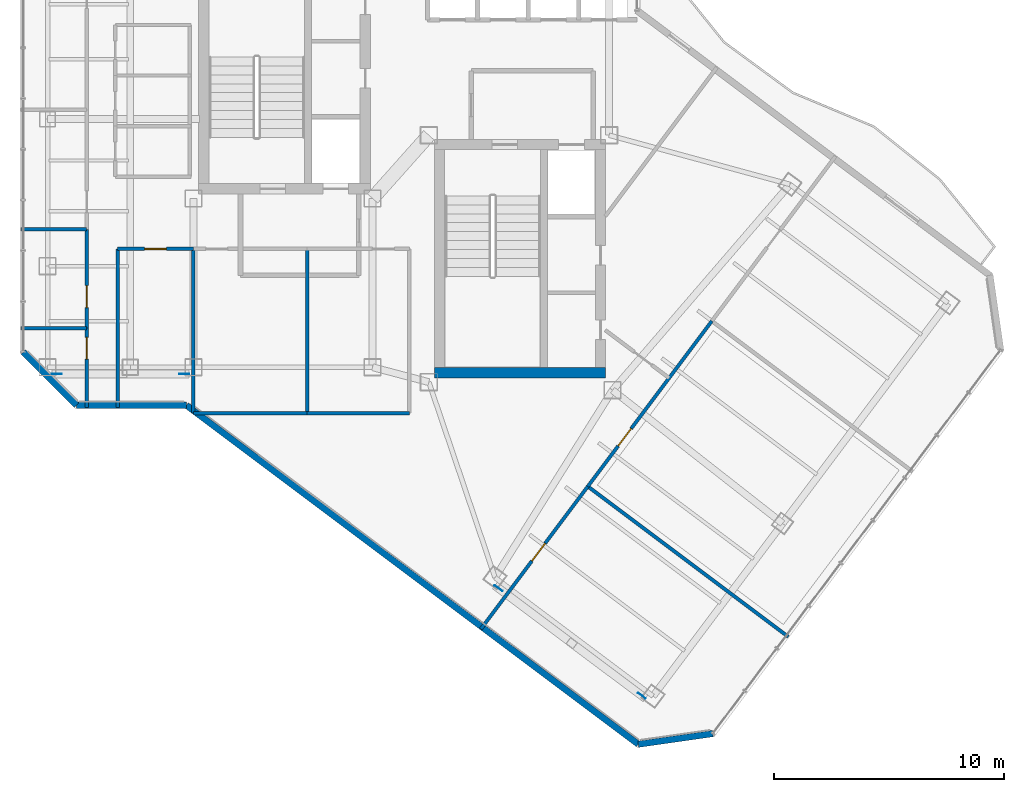
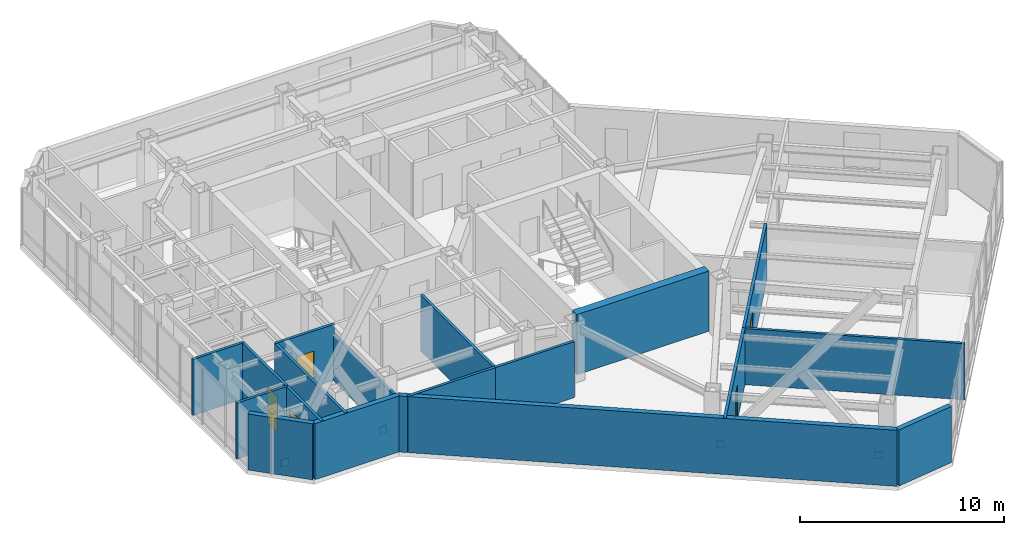
# One storey, part 19 of 24: 18 walls, 5 doors, 4 plates, 5 openings.
"""IFC4 building model written with IfcOpenShell, lengths in metres."""

from ifc_helpers import new_model, si_unit, direction, frame, frame_2d, origin, origin_2d, place, context, subcontext, project, spatial, rectangle, extrude, material, layer, layer_set, type_object, element, fill, save


model = new_model("IFC4")

# Units and contexts
model_context = context("Model", 3, precision=1e-05, world=origin(), true_north=direction((0.0, 1.0)))
body_context = subcontext(model_context, "Body", "Model", "MODEL_VIEW")
ifc_project = project(units=[si_unit("LENGTHUNIT", "METRE"), si_unit("AREAUNIT", "SQUARE_METRE"), si_unit("VOLUMEUNIT", "CUBIC_METRE"), si_unit("PLANEANGLEUNIT", "RADIAN"), si_unit("MASSUNIT", "GRAM", prefix="KILO")], contexts=[model_context])

# Site, building, storey
site_placement = place(None, origin())
site = spatial("IfcSite", under=ifc_project, at=site_placement, CompositionType="ELEMENT")
building_placement = place(site_placement, origin())
building = spatial("IfcBuilding", under=site, at=building_placement, Name="Hatsunagi Terrace Concourse", CompositionType="ELEMENT")
storey_placement = place(building_placement, frame((0.0, 0.0, 213.14990234375)))
storey = spatial("IfcBuildingStorey", under=building, at=storey_placement, Name="L56", CompositionType="ELEMENT", Elevation=213.14990234375)

# Plates
ifc_material_1 = material(Name="Steel SN490C", Category="steel")
ifc_layer_1 = layer(ifc_material_1, 0.031982421875)
ifc_layer_set_1 = layer_set([ifc_layer_1], Name="XBraceNodeCapPlate_32")
plate_type = type_object("IfcPlateType", Name="XBraceNodeCapPlate_32", PredefinedType="USERDEFINED", material=ifc_layer_set_1)
for number, where, z_axis, x_axis, name in (
    (1, (19.60009765625, 24.89990234375, 0.230224609375), (0.0, 0.0, 1.0), (1.0, 0.0, 0.0), "Cast-In Core and Node Embed Plate GP-02 EP-XB-L56-W1-AB"),
    (2, (25.14990234375, 24.89990234375, 0.230224609375), (0.0, 0.0, 1.0), (1.0, 0.0, 0.0), "Cast-In Core and Node Embed Plate GP-02 EP-XB-L56-W1-BB"),
    (3, (38.83203125, 15.575927734375, 0.230224609375), (0.0, 0.0, 1.0), (0.799999996291, -0.600000004945, 0.0), "Cast-In Core and Node Embed Plate GP-02 EP-XB-L56-SE-AB"),
    (4, (45.072021484375, 10.89599609375, 0.230224609375), (0.0, 0.0, 1.0), (0.799999996291, -0.600000004945, 0.0), "Cast-In Core and Node Embed Plate GP-02 EP-XB-L56-SE-BB"),
):
    element("IfcPlate", number, at=place(storey_placement, frame(where, z_axis=z_axis, x_axis=x_axis)), inside=storey, type_object=plate_type, Name=name, ObjectType="GUSSET_PLATE", PredefinedType="USERDEFINED", context=body_context, shape_type="SweptSolid", body=[
        extrude(rectangle(XDim=0.419921875, YDim=0.031982421875, at=origin_2d()), origin(), (0.0, 0.0, 1.0), 0.419921875),
    ])

# Walls
ifc_material_2 = material(Name="Concrete Fc42", Category="concrete")
ifc_layer_2 = layer(ifc_material_2, 0.449951171875)
ifc_layer_set_2 = layer_set([ifc_layer_2], Name="CoreShearWall_Fc42_450")
wall_type_1 = type_object("IfcWallType", Name="CoreShearWall_Fc42_450", PredefinedType="SHEAR", material=ifc_layer_set_2)
wall_1_placement = place(storey_placement, frame((36.0400390625, 24.965087890625, 0.0), z_axis=(0.0, 0.0, 1.0), x_axis=(1.0, 0.0, 0.0)))
element("IfcWall", 5, at=wall_1_placement, inside=storey, type_object=wall_type_1, Name="Core B Shear Wall S L56", PredefinedType="SHEAR", context=body_context, shape_type="SweptSolid", body=[
    extrude(rectangle(XDim=7.4599609375, YDim=0.449951171875, at=frame_2d((3.72998046875, 0.0))), origin(), (0.0, 0.0, 1.0), 3.60009765625),
])
ifc_material_3 = material(Name="Acoustic mineral board", Category="gypsum")
ifc_layer_3 = layer(ifc_material_3, 0.14990234375)
ifc_layer_set_3 = layer_set([ifc_layer_3], Name="PartitionWall_EI60_150")
wall_type_2 = type_object("IfcWallType", Name="PartitionWall_EI60_150", PredefinedType="PARTITIONING", material=ifc_layer_set_3)
wall_2_placement = place(storey_placement, frame((25.550048828125, 23.199951171875, 0.0), z_axis=(0.0, 0.0, 1.0), x_axis=(1.0, 0.0, 0.0)))
element("IfcWall", 6, at=wall_2_placement, inside=storey, type_object=wall_type_2, Name="Interior Partition IW-L56-025", PredefinedType="PARTITIONING", context=body_context, shape_type="SweptSolid", body=[
    extrude(rectangle(XDim=4.949951171875, YDim=0.14990234375, at=frame_2d((2.47509765625, 0.0))), origin(), (0.0, 0.0, 1.0), 3.35009765625),
])
wall_3_placement = place(storey_placement, frame((25.550048828125, 23.199951171875, 0.0), z_axis=(0.0, 0.0, 1.0), x_axis=(0.0, 1.0, 0.0)))
element("IfcWall", 7, at=wall_3_placement, inside=storey, type_object=wall_type_2, Name="Interior Partition IW-L56-027", PredefinedType="PARTITIONING", context=body_context, shape_type="SweptSolid", body=[
    extrude(rectangle(XDim=7.150146484375, YDim=0.14990234375, at=frame_2d((3.5751953125, 0.0))), origin(), (0.0, 0.0, 1.0), 2.757080078125),
])
wall_4_placement = place(storey_placement, frame((30.5, 23.199951171875, 0.0), z_axis=(0.0, 0.0, 1.0), x_axis=(0.0, 1.0, 0.0)))
element("IfcWall", 8, at=wall_4_placement, inside=storey, type_object=wall_type_2, Name="Interior Partition IW-L56-028", PredefinedType="PARTITIONING", context=body_context, shape_type="SweptSolid", body=[
    extrude(rectangle(XDim=7.150146484375, YDim=0.14990234375, at=frame_2d((3.5751953125, 0.0))), origin(), (0.0, 0.0, 1.0), 3.35009765625),
])
wall_5_placement = place(storey_placement, frame((30.5, 23.199951171875, 0.0), z_axis=(0.0, 0.0, 1.0), x_axis=(1.0, 0.0, 0.0)))
element("IfcWall", 9, at=wall_5_placement, inside=storey, type_object=wall_type_2, Name="Interior Partition IW-L56-029", PredefinedType="PARTITIONING", context=body_context, shape_type="SweptSolid", body=[
    extrude(rectangle(XDim=4.449951171875, YDim=0.14990234375, at=frame_2d((2.22509765625, 0.0))), origin(), (0.0, 0.0, 1.0), 3.35009765625),
])
wall_6_placement = place(storey_placement, frame((18.0400390625, 26.89990234375, 0.0), z_axis=(0.0, 0.0, 1.0), x_axis=(1.0, 0.0, 0.0)))
element("IfcWall", 10, at=wall_6_placement, inside=storey, type_object=wall_type_2, Name="Interior Partition IW-L56-032", PredefinedType="PARTITIONING", context=body_context, shape_type="SweptSolid", body=[
    extrude(rectangle(XDim=2.85986328125, YDim=0.14990234375, at=frame_2d((1.429931640625, 0.0))), origin(), (0.0, 0.0, 1.0), 3.35009765625),
])

# Wall, opening, door
wall_7_placement = place(storey_placement, frame((20.89990234375, 23.43994140625, 0.0), z_axis=(0.0, 0.0, 1.0), x_axis=(0.0, 1.0, 0.0)))
wall_7 = element("IfcWall", 11, at=wall_7_placement, inside=storey, type_object=wall_type_2, Name="Interior Partition IW-L56-033", PredefinedType="PARTITIONING", context=body_context, shape_type="SweptSolid", body=[
    extrude(rectangle(XDim=3.4599609375, YDim=0.14990234375, at=frame_2d((1.72998046875, 0.0))), origin(), (0.0, 0.0, 1.0), 3.35009765625),
])
opening_1_placement = place(wall_7_placement, frame((2.112060546875, 0.0, 0.0)))
opening_1 = element("IfcOpeningElement", 12, at=opening_1_placement, cuts=wall_7, Name="Opening DR-095", PredefinedType="OPENING", context=body_context, shape_type="SweptSolid", body=[
    extrude(rectangle(XDim=0.949951171875, YDim=2.14990234375, at=frame_2d((0.47509765625, 1.074951171875))), frame((0.0, 0.0849609375, 0.0), z_axis=(0.0, -1.0, 0.0), x_axis=(1.0, 0.0, 0.0)), (0.0, 0.0, 1.0), 0.169921875),
])
ifc_material_4 = material(Name="Hardwood timber", Category="wood")
door_type = type_object("IfcDoorType", Name="InteriorSuiteDoor_EI30_950", OperationType="NOTDEFINED", PredefinedType="DOOR", material=ifc_material_4)
door_1_placement = place(opening_1_placement, origin())
door_1 = element("IfcDoor", 13, at=door_1_placement, inside=storey, type_object=door_type, Name="Focus Room L56-OW1 Door", OperationType="SINGLE_SWING_RIGHT", OverallHeight=2.14990234375, OverallWidth=0.949951171875, PredefinedType="DOOR", context=body_context, shape_type="SweptSolid", body=[
    extrude(rectangle(XDim=0.949951171875, YDim=2.14990234375, at=frame_2d((0.47509765625, 1.074951171875))), frame((0.0, 0.02490234375, 0.0), z_axis=(0.0, -1.0, 0.0), x_axis=(1.0, 0.0, 0.0)), (0.0, 0.0, 1.0), 0.050048828125),
])
fill(opening_1, door_1)

# Wall
wall_8_placement = place(storey_placement, frame((18.0400390625, 31.199951171875, 0.0), z_axis=(0.0, 0.0, 1.0), x_axis=(1.0, 0.0, 0.0)))
element("IfcWall", 14, at=wall_8_placement, inside=storey, type_object=wall_type_2, Name="Interior Partition IW-L56-034", PredefinedType="PARTITIONING", context=body_context, shape_type="SweptSolid", body=[
    extrude(rectangle(XDim=2.85986328125, YDim=0.14990234375, at=frame_2d((1.429931640625, 0.0))), origin(), (0.0, 0.0, 1.0), 3.35009765625),
])

# Wall, opening, door
wall_9_placement = place(storey_placement, frame((20.89990234375, 26.89990234375, 0.0), z_axis=(0.0, 0.0, 1.0), x_axis=(0.0, 1.0, 0.0)))
wall_9 = element("IfcWall", 15, at=wall_9_placement, inside=storey, type_object=wall_type_2, Name="Interior Partition IW-L56-035", PredefinedType="PARTITIONING", context=body_context, shape_type="SweptSolid", body=[
    extrude(rectangle(XDim=4.300048828125, YDim=0.14990234375, at=frame_2d((2.14990234375, 0.0))), origin(), (0.0, 0.0, 1.0), 3.35009765625),
])
opening_2_placement = place(wall_9_placement, frame((0.89794921875, 0.0, 0.0)))
opening_2 = element("IfcOpeningElement", 16, at=opening_2_placement, cuts=wall_9, Name="Opening DR-095", PredefinedType="OPENING", context=body_context, shape_type="SweptSolid", body=[
    extrude(rectangle(XDim=0.949951171875, YDim=2.14990234375, at=frame_2d((0.47509765625, 1.074951171875))), frame((0.0, 0.0849609375, 0.0), z_axis=(0.0, -1.0, 0.0), x_axis=(1.0, 0.0, 0.0)), (0.0, 0.0, 1.0), 0.169921875),
])
door_2_placement = place(opening_2_placement, origin())
door_2 = element("IfcDoor", 17, at=door_2_placement, inside=storey, type_object=door_type, Name="Executive Office L56-OW2 Door", OperationType="SINGLE_SWING_RIGHT", OverallHeight=2.14990234375, OverallWidth=0.949951171875, PredefinedType="DOOR", context=body_context, shape_type="SweptSolid", body=[
    extrude(rectangle(XDim=0.949951171875, YDim=2.14990234375, at=frame_2d((0.47509765625, 1.074951171875))), frame((0.0, 0.02490234375, 0.0), z_axis=(0.0, -1.0, 0.0), x_axis=(1.0, 0.0, 0.0)), (0.0, 0.0, 1.0), 0.050048828125),
])
fill(opening_2, door_2)

# Wall
wall_10_placement = place(storey_placement, frame((42.719970703125, 20.010009765625, 0.0), z_axis=(0.0, 0.0, 1.0), x_axis=(0.800005370633, -0.599992839089, 0.0)))
element("IfcWall", 18, at=wall_10_placement, inside=storey, type_object=wall_type_2, Name="Interior Partition IW-L56-042", PredefinedType="PARTITIONING", context=body_context, shape_type="SweptSolid", body=[
    extrude(rectangle(XDim=10.909912109375, YDim=0.14990234375, at=frame_2d((5.455078125, 0.0))), origin(), (0.0, 0.0, 1.0), 3.35009765625),
])

# Wall, opening, door
wall_11_placement = place(storey_placement, frame((38.06396484375, 13.802001953125, 0.0), z_axis=(0.0, 0.0, 1.0), x_axis=(0.6, 0.8, 0.0)))
wall_11 = element("IfcWall", 19, at=wall_11_placement, inside=storey, type_object=wall_type_2, Name="Interior Partition IW-L56-043", PredefinedType="PARTITIONING", context=body_context, shape_type="SweptSolid", body=[
    extrude(rectangle(XDim=7.760009765625, YDim=0.14990234375, at=frame_2d((3.8798828125, 0.0))), origin(), (0.0, 0.0, 1.0), 3.35009765625),
])
opening_3_placement = place(wall_11_placement, frame((3.7080078125, 0.0, 0.0)))
opening_3 = element("IfcOpeningElement", 20, at=opening_3_placement, cuts=wall_11, Name="Opening DR-095", PredefinedType="OPENING", context=body_context, shape_type="SweptSolid", body=[
    extrude(rectangle(XDim=0.949951171875, YDim=2.14990234375, at=frame_2d((0.47509765625, 1.074951171875))), frame((0.0, 0.0849609375, 0.0), z_axis=(0.0, -1.0, 0.0), x_axis=(1.0, 0.0, 0.0)), (0.0, 0.0, 1.0), 0.169921875),
])
door_3_placement = place(opening_3_placement, origin())
door_3 = element("IfcDoor", 21, at=door_3_placement, inside=storey, type_object=door_type, Name="Research Focus Suite L56-OSE1 Door", OperationType="SINGLE_SWING_RIGHT", OverallHeight=2.14990234375, OverallWidth=0.949951171875, PredefinedType="DOOR", context=body_context, shape_type="SweptSolid", body=[
    extrude(rectangle(XDim=0.949951171875, YDim=2.14990234375, at=frame_2d((0.47509765625, 1.074951171875))), frame((0.0, 0.02490234375, 0.0), z_axis=(0.0, -1.0, 0.0), x_axis=(1.0, 0.0, 0.0)), (0.0, 0.0, 1.0), 0.050048828125),
])
fill(opening_3, door_3)

wall_12_placement = place(storey_placement, frame((42.719970703125, 20.010009765625, 0.0), z_axis=(0.0, 0.0, 1.0), x_axis=(0.600013020683, 0.799990234322, 0.0)))
wall_12 = element("IfcWall", 22, at=wall_12_placement, inside=storey, type_object=wall_type_2, Name="Interior Partition IW-L56-045", PredefinedType="PARTITIONING", context=body_context, shape_type="SweptSolid", body=[
    extrude(rectangle(XDim=9.0, YDim=0.14990234375, at=frame_2d((4.5, 0.0))), origin(), (0.0, 0.0, 1.0), 3.35009765625),
])
opening_4_placement = place(wall_12_placement, frame((2.201904296875, 0.0, 0.0)))
opening_4 = element("IfcOpeningElement", 23, at=opening_4_placement, cuts=wall_12, Name="Opening DR-095", PredefinedType="OPENING", context=body_context, shape_type="SweptSolid", body=[
    extrude(rectangle(XDim=0.949951171875, YDim=2.14990234375, at=frame_2d((0.47509765625, 1.074951171875))), frame((0.0, 0.0849609375, 0.0), z_axis=(0.0, -1.0, 0.0), x_axis=(1.0, 0.0, 0.0)), (0.0, 0.0, 1.0), 0.169921875),
])
door_4_placement = place(opening_4_placement, origin())
door_4 = element("IfcDoor", 24, at=door_4_placement, inside=storey, type_object=door_type, Name="Team Innovation Studio L56-OSE2 Door", OperationType="SINGLE_SWING_RIGHT", OverallHeight=2.14990234375, OverallWidth=0.949951171875, PredefinedType="DOOR", context=body_context, shape_type="SweptSolid", body=[
    extrude(rectangle(XDim=0.949951171875, YDim=2.14990234375, at=frame_2d((0.47509765625, 1.074951171875))), frame((0.0, 0.02490234375, 0.0), z_axis=(0.0, -1.0, 0.0), x_axis=(1.0, 0.0, 0.0)), (0.0, 0.0, 1.0), 0.050048828125),
])
fill(opening_4, door_4)

wall_13_placement = place(storey_placement, frame((22.25, 30.35009765625, 0.0), z_axis=(0.0, 0.0, 1.0), x_axis=(1.0, 0.0, 0.0)))
wall_13 = element("IfcWall", 25, at=wall_13_placement, inside=storey, type_object=wall_type_2, Name="Interior Partition IW-L56-049", PredefinedType="PARTITIONING", context=body_context, shape_type="SweptSolid", body=[
    extrude(rectangle(XDim=3.300048828125, YDim=0.14990234375, at=frame_2d((1.64990234375, 0.0))), origin(), (0.0, 0.0, 1.0), 3.35009765625),
])
opening_5_placement = place(wall_13_placement, frame((1.175048828125, 0.0, 0.0)))
opening_5 = element("IfcOpeningElement", 26, at=opening_5_placement, cuts=wall_13, Name="Opening DR-095", PredefinedType="OPENING", context=body_context, shape_type="SweptSolid", body=[
    extrude(rectangle(XDim=0.949951171875, YDim=2.14990234375, at=frame_2d((0.47509765625, 1.074951171875))), frame((0.0, 0.0849609375, 0.0), z_axis=(0.0, -1.0, 0.0), x_axis=(1.0, 0.0, 0.0)), (0.0, 0.0, 1.0), 0.169921875),
])
door_5_placement = place(opening_5_placement, origin())
door_5 = element("IfcDoor", 27, at=door_5_placement, inside=storey, type_object=door_type, Name="Private Salon L56-OCSW Door", OperationType="SINGLE_SWING_RIGHT", OverallHeight=2.14990234375, OverallWidth=0.949951171875, PredefinedType="DOOR", context=body_context, shape_type="SweptSolid", body=[
    extrude(rectangle(XDim=0.949951171875, YDim=2.14990234375, at=frame_2d((0.47509765625, 1.074951171875))), frame((0.0, 0.02490234375, 0.0), z_axis=(0.0, -1.0, 0.0), x_axis=(1.0, 0.0, 0.0)), (0.0, 0.0, 1.0), 0.050048828125),
])
fill(opening_5, door_5)

# Walls
wall_14_placement = place(storey_placement, frame((22.25, 23.43994140625, 0.0), z_axis=(0.0, 0.0, 1.0), x_axis=(0.0, 1.0, 0.0)))
element("IfcWall", 28, at=wall_14_placement, inside=storey, type_object=wall_type_2, Name="Interior Partition IW-L56-050", PredefinedType="PARTITIONING", context=body_context, shape_type="SweptSolid", body=[
    extrude(rectangle(XDim=6.91015625, YDim=0.14990234375, at=frame_2d((3.455078125, 0.0))), origin(), (0.0, 0.0, 1.0), 3.35009765625),
])
ifc_material_5 = material(Name="Autoclaved Lightweight Concrete and Terracotta Cladding", Category="masonry")
ifc_layer_4 = layer(ifc_material_5, 0.280029296875)
ifc_layer_set_4 = layer_set([ifc_layer_4], Name="TerracottaSpandrelWall_280")
wall_type_3 = type_object("IfcWallType", Name="TerracottaSpandrelWall_280", PredefinedType="STANDARD", material=ifc_layer_set_4)
wall_15_placement = place(storey_placement, frame((48.1630859375, 9.25, 0.0), z_axis=(0.0, 0.0, 1.0), x_axis=(-0.989979263428, -0.141212810973, 0.0)))
element("IfcWall", 29, at=wall_15_placement, inside=storey, type_object=wall_type_3, Name="Exterior Spandrel Wall EW-L56-04", PredefinedType="STANDARD", context=body_context, shape_type="SweptSolid", body=[
    extrude(rectangle(XDim=3.278076171875, YDim=0.280029296875, at=frame_2d((1.63916015625, 0.0))), origin(), (0.0, 0.0, 1.0), 3.35009765625),
])
wall_16_placement = place(storey_placement, frame((44.91796875, 8.787109375, 0.0), z_axis=(0.0, 0.0, 1.0), x_axis=(-0.800004765927, 0.599993645378, 0.0)))
element("IfcWall", 30, at=wall_16_placement, inside=storey, type_object=wall_type_3, Name="Exterior Spandrel Wall EW-L56-05", PredefinedType="STANDARD", context=body_context, shape_type="SweptSolid", body=[
    extrude(rectangle(XDim=24.58837890625, YDim=0.280029296875, at=frame_2d((12.294189453125, 0.0))), origin(), (0.0, 0.0, 1.0), 3.35009765625),
])
wall_17_placement = place(storey_placement, frame((25.2470703125, 23.5400390625, 0.0), z_axis=(0.0, 0.0, 1.0), x_axis=(-1.0, 0.0, 0.0)))
element("IfcWall", 31, at=wall_17_placement, inside=storey, type_object=wall_type_3, Name="Exterior Spandrel Wall EW-L56-06", PredefinedType="STANDARD", context=body_context, shape_type="SweptSolid", body=[
    extrude(rectangle(XDim=4.7890625, YDim=0.280029296875, at=frame_2d((2.39453125, 0.0))), origin(), (0.0, 0.0, 1.0), 3.35009765625),
])
wall_18_placement = place(storey_placement, frame((20.4580078125, 23.5400390625, 0.0), z_axis=(0.0, 0.0, 1.0), x_axis=(-0.707144017911, 0.707069542501, 0.0)))
element("IfcWall", 32, at=wall_18_placement, inside=storey, type_object=wall_type_3, Name="Exterior Spandrel Wall EW-L56-07", PredefinedType="STANDARD", context=body_context, shape_type="SweptSolid", body=[
    extrude(rectangle(XDim=3.278076171875, YDim=0.280029296875, at=frame_2d((1.63916015625, 0.0))), origin(), (0.0, 0.0, 1.0), 3.35009765625),
])

save(model, "model.ifc")
